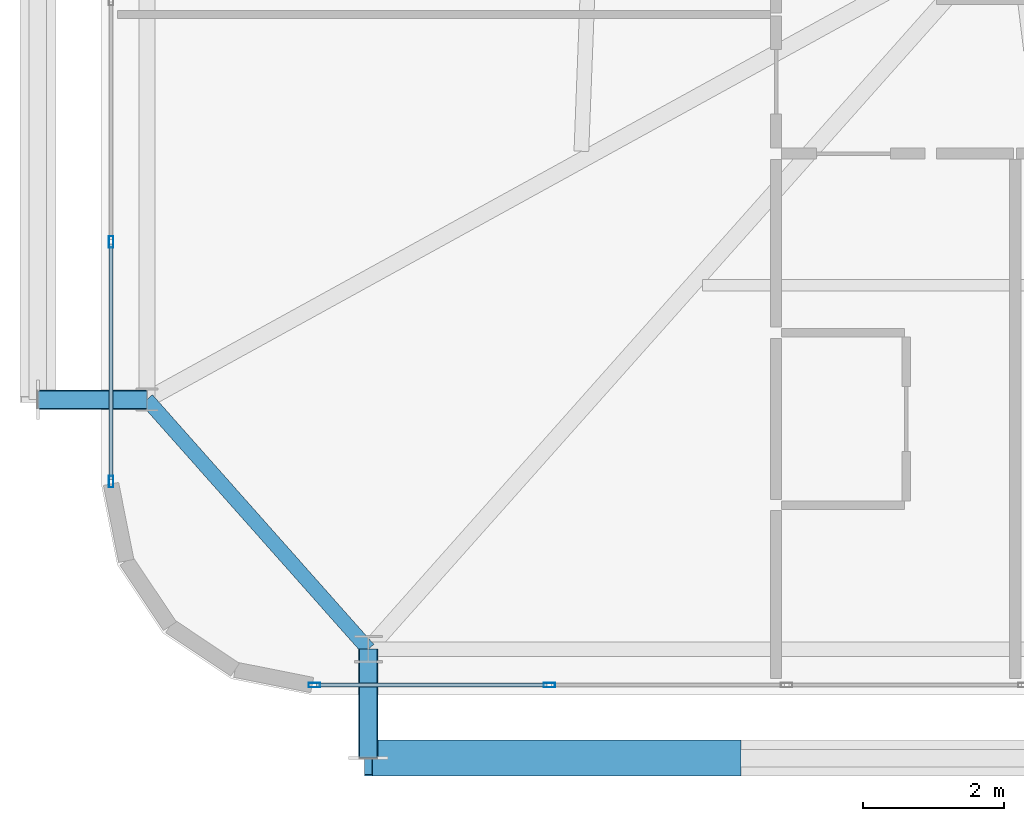
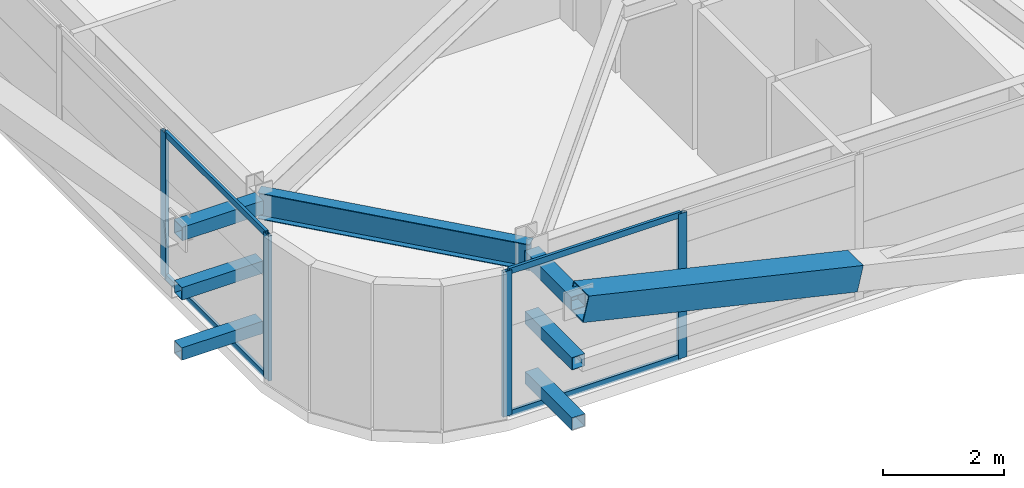
# One storey, part 5 of 59: 15 members, 1 beam, 2 elements without a shape of their own.
"""IFC4 building model written with IfcOpenShell, lengths in metres."""

from ifc_helpers import new_model, si_unit, direction, frame, origin, origin_2d, place, context, subcontext, project, spatial, hollow_rectangle, i_section, extrude, source, transform, mapped, material, layer, layer_set, material_profile, profile_set, type_object, element, aggregate, save


model = new_model("IFC4")

# Units and contexts
model_context = context("Model", 3, precision=1e-05, world=origin(), true_north=direction((0.0, 1.0)))
body_context = subcontext(model_context, "Body", "Model", "MODEL_VIEW")
ifc_project = project(units=[si_unit("LENGTHUNIT", "METRE"), si_unit("AREAUNIT", "SQUARE_METRE"), si_unit("VOLUMEUNIT", "CUBIC_METRE"), si_unit("PLANEANGLEUNIT", "RADIAN"), si_unit("MASSUNIT", "GRAM", prefix="KILO")], contexts=[model_context])

# Site, building, storey
site_placement = place(None, origin())
site = spatial("IfcSite", under=ifc_project, at=site_placement, CompositionType="ELEMENT")
building_placement = place(site_placement, origin())
building = spatial("IfcBuilding", under=site, at=building_placement, Name="Taldren Reach Tower", CompositionType="ELEMENT")
storey_placement = place(building_placement, frame((0.0, 0.0, 26.25)))
storey = spatial("IfcBuildingStorey", under=building, at=storey_placement, Name="L07", CompositionType="ELEMENT", Elevation=26.25)

# Beam
ifc_material_1 = material(Name="Steel Gr 350 (350PLUS)", Category="steel")
ifc_material_profile_1 = material_profile(ifc_material_1, i_section(OverallWidth=0.208984375, OverallDepth=0.528076171875, WebThickness=0.009521484375, FlangeThickness=0.01318359375, at=origin_2d()), Name="530UB82.0")
ifc_profile_set_1 = profile_set([ifc_material_profile_1], Name="Steel Gr 350 (350PLUS)")
beam_type = type_object("IfcBeamType", Name="SP-UB530B", PredefinedType="SPANDREL", material=ifc_profile_set_1)
shared_shape_1 = source(origin(), body_context, "Body", "SweptSolid", [
    extrude(i_section(OverallWidth=0.208984375, OverallDepth=0.528076171875, WebThickness=0.009521484375, FlangeThickness=0.01318359375, at=origin_2d()), origin(), (0.0, 0.0, 1.0), 4.74609375),
])
beam_placement = place(storey_placement, frame((5.64990234375, 5.699951171875, 2.666015625), z_axis=(0.663721843779, -0.747979487747, 0.0), x_axis=(0.747979487747, 0.663721843779, 0.0)))
element("IfcBeam", 1, at=beam_placement, inside=storey, type_object=beam_type, Name="Perimeter spandrel B1 W1-S1 L07", PredefinedType="SPANDREL", context=body_context, shape_type="MappedRepresentation", body=[
    mapped(shared_shape_1, transform((0.0, 0.0, 0.0), scale=1.0)),
])

# Members
ifc_material_2 = material(Name="Steel Gr 450 (C450L0)", Category="steel")
ifc_material_profile_2 = material_profile(ifc_material_2, hollow_rectangle(XDim=0.27490234375, YDim=0.27490234375, WallThickness=0.00927734375, at=origin_2d()), Name="275x275x9.3SHS")
ifc_profile_set_2 = profile_set([ifc_material_profile_2], Name="Steel Gr 450 (C450L0)")
member_type_1 = type_object("IfcMemberType", Name="MB-TIE273", PredefinedType="STRUT", material=ifc_profile_set_2)
shared_shape_2 = source(origin(), body_context, "Body", "SweptSolid", [
    extrude(hollow_rectangle(XDim=0.27490234375, YDim=0.27490234375, WallThickness=0.00927734375, at=origin_2d()), origin(), (0.0, 0.0, 1.0), 1.5498046875),
])
for number, where, z_axis, x_axis, name in (
    (2, (8.800048828125, 2.14990234375, 2.64990234375), (0.0, -1.0, 0.0), (1.0, 0.0, 0.0), "Exoskeleton diaphragm tie strut B1-S1 L07"),
    (3, (5.64990234375, 5.699951171875, 2.64990234375), (-1.0, 0.0, 0.0), (0.0, -1.0, 0.0), "Exoskeleton diaphragm tie strut B1-W1 L07"),
):
    element("IfcMember", number, at=place(storey_placement, frame(where, z_axis=z_axis, x_axis=x_axis)), inside=storey, type_object=member_type_1, Name=name, PredefinedType="STRUT", context=body_context, shape_type="MappedRepresentation", body=[
        mapped(shared_shape_2, transform((0.0, 0.0, 0.0), scale=1.0)),
    ])
ifc_material_profile_3 = material_profile(ifc_material_2, hollow_rectangle(XDim=0.510009765625, YDim=0.510009765625, WallThickness=0.02001953125, at=origin_2d()), Name="510x510x20.0SHS")
ifc_profile_set_3 = profile_set([ifc_material_profile_3], Name="Steel Gr 450 (C450L0)")
member_type_2 = type_object("IfcMemberType", Name="MB-EXO508", PredefinedType="BRACE", material=ifc_profile_set_3)
shared_shape_3 = source(origin(), body_context, "Body", "SweptSolid", [
    extrude(hollow_rectangle(XDim=0.510009765625, YDim=0.510009765625, WallThickness=0.02001953125, at=origin_2d()), origin(), (0.0, 0.0, 1.0), 5.37890625),
])
member_1_placement = place(storey_placement, frame((14.0400390625, 0.60009765625, 1.43505859375), z_axis=(-0.974161966843, 0.0, 0.225850531007), x_axis=(0.0, -1.0, 0.0)))
element("IfcMember", 4, at=member_1_placement, inside=storey, type_object=member_type_2, Name="Exoskeleton Diagrid Brace B1-S1 L07", PredefinedType="BRACE", context=body_context, shape_type="MappedRepresentation", body=[
    mapped(shared_shape_3, transform((0.0, 0.0, 0.0), scale=1.0)),
])
ifc_material_3 = material(Name="Steel Gr 350 (C350L0)", Category="steel")
ifc_material_profile_4 = material_profile(ifc_material_3, hollow_rectangle(XDim=0.25, YDim=0.25, WallThickness=0.010009765625, at=origin_2d()), Name="250x250x10.0SHS")
ifc_profile_set_4 = profile_set([ifc_material_profile_4], Name="Steel Gr 350 (C350L0)")
member_type_3 = type_object("IfcMemberType", Name="MB-POST250", PredefinedType="POST", material=ifc_profile_set_4)
shared_shape_4 = source(origin(), body_context, "Body", "SweptSolid", [
    extrude(hollow_rectangle(XDim=0.25, YDim=0.25, WallThickness=0.010009765625, at=origin_2d()), origin(), (0.0, 0.0, 1.0), 1.5498046875),
])
for number, where, z_axis, x_axis, name in (
    (5, (8.800048828125, 2.14990234375, 0.219970703125), (0.0, -1.0, 0.0), (1.0, 0.0, 0.0), "Exoskeleton base diaphragm tie strut B1-S1 L07"),
    (6, (5.64990234375, 5.699951171875, 0.219970703125), (-1.0, 0.0, 0.0), (0.0, -1.0, 0.0), "Exoskeleton base diaphragm tie strut B1-W1 L07"),
    (7, (8.800048828125, 2.14990234375, 1.43505859375), (0.0, -1.0, 0.0), (1.0, 0.0, 0.0), "Exoskeleton mid-tier diaphragm tie B1-S1 L07"),
    (8, (5.64990234375, 5.699951171875, 1.43505859375), (-1.0, 0.0, 0.0), (0.0, -1.0, 0.0), "Exoskeleton mid-tier diaphragm tie B1-W1 L07"),
):
    element("IfcMember", number, at=place(storey_placement, frame(where, z_axis=z_axis, x_axis=x_axis)), inside=storey, type_object=member_type_3, Name=name, PredefinedType="POST", context=body_context, shape_type="MappedRepresentation", body=[
        mapped(shared_shape_4, transform((0.0, 0.0, 0.0), scale=1.0)),
    ])

# Curtain wall, members
ifc_material_4 = material(Name="Aluminium and Low-E Glass Unitised System", Category="aluminium")
ifc_layer = layer(ifc_material_4, 0.159912109375)
ifc_layer_set = layer_set([ifc_layer], Name="Aluminium and Low-E Glass Unitised System")
curtain_wall_type = type_object("IfcCurtainWallType", Name="CW-SYS-2", PredefinedType="NOTDEFINED", material=ifc_layer_set)
curtain_wall_1_placement = place(storey_placement, origin())
curtain_wall_1 = element("IfcCurtainWall", 9, at=curtain_wall_1_placement, inside=storey, type_object=curtain_wall_type, Name="Unitised curtain wall CW-L07-S", PredefinedType="NOTDEFINED")
ifc_material_5 = material(Name="Anodised Aluminium 6063-T6", Category="aluminium")
ifc_material_profile_5 = material_profile(ifc_material_5, hollow_rectangle(XDim=0.06494140625, YDim=0.1650390625, WallThickness=0.00390625, at=origin_2d()), Name="ALU-165x65x4RHS")
ifc_profile_set_5 = profile_set([ifc_material_profile_5], Name="Anodised Aluminium 6063-T6")
member_type_4 = type_object("IfcMemberType", Name="CW-MUL-165", PredefinedType="MULLION", material=ifc_profile_set_5)
shared_shape_5 = source(origin(), body_context, "Body", "SweptSolid", [
    extrude(hollow_rectangle(XDim=0.06494140625, YDim=0.1650390625, WallThickness=0.00390625, at=origin_2d()), origin(), (0.0, 0.0, 1.0), 2.929931640625),
])
member_2_placement = place(storey_placement, frame((8.032470703125, 1.639892578125, 0.0), z_axis=(0.0, 0.0, 1.0), x_axis=(0.0, 1.0, 0.0)))
member_2 = element("IfcMember", 10, at=member_2_placement, type_object=member_type_4, Name="CW-2 mullion 1", PredefinedType="MULLION", context=body_context, shape_type="MappedRepresentation", body=[
    mapped(shared_shape_5, transform((0.0, 0.0, 0.0), scale=1.0)),
])
member_3_placement = place(storey_placement, frame((11.375, 1.639892578125, 0.0), z_axis=(0.0, 0.0, 1.0), x_axis=(0.0, 1.0, 0.0)))
member_3 = element("IfcMember", 11, at=member_3_placement, type_object=member_type_4, Name="CW-2 mullion 2", PredefinedType="MULLION", context=body_context, shape_type="MappedRepresentation", body=[
    mapped(shared_shape_5, transform((0.0, 0.0, 0.0), scale=1.0)),
])

curtain_wall_2_placement = place(storey_placement, origin())
curtain_wall_2 = element("IfcCurtainWall", 12, at=curtain_wall_2_placement, inside=storey, type_object=curtain_wall_type, Name="Unitised curtain wall CW-L07-W", PredefinedType="NOTDEFINED")
member_4_placement = place(storey_placement, frame((5.139892578125, 7.9443359375, 0.0), z_axis=(0.0, 0.0, 1.0), x_axis=(1.0, 0.0, 0.0)))
member_4 = element("IfcMember", 13, at=member_4_placement, type_object=member_type_4, Name="CW-2 mullion 9", PredefinedType="MULLION", context=body_context, shape_type="MappedRepresentation", body=[
    mapped(shared_shape_5, transform((0.0, 0.0, 0.0), scale=1.0)),
])
member_5_placement = place(storey_placement, frame((5.139892578125, 4.532470703125, 0.0), z_axis=(0.0, 0.0, 1.0), x_axis=(1.0, 0.0, 0.0)))
member_5 = element("IfcMember", 14, at=member_5_placement, type_object=member_type_4, Name="CW-2 mullion 10", PredefinedType="MULLION", context=body_context, shape_type="MappedRepresentation", body=[
    mapped(shared_shape_5, transform((0.0, 0.0, 0.0), scale=1.0)),
])

# Member
ifc_material_profile_6 = material_profile(ifc_material_5, hollow_rectangle(XDim=0.054931640625, YDim=0.1201171875, WallThickness=0.0029296875, at=origin_2d()), Name="ALU-120x55x3RHS")
ifc_profile_set_6 = profile_set([ifc_material_profile_6], Name="Anodised Aluminium 6063-T6")
member_type_5 = type_object("IfcMemberType", Name="CW-TRN-135", PredefinedType="USERDEFINED", material=ifc_profile_set_6)
shared_shape_6 = source(origin(), body_context, "Body", "SweptSolid", [
    extrude(hollow_rectangle(XDim=0.054931640625, YDim=0.1201171875, WallThickness=0.0029296875, at=origin_2d()), origin(), (0.0, 0.0, 1.0), 3.277587890625),
])
member_6_placement = place(storey_placement, frame((8.06494140625, 1.639892578125, 0.027587890625), z_axis=(1.0, 0.0, 0.0), x_axis=(0.0, 1.0, 0.0)))
member_6 = element("IfcMember", 15, at=member_6_placement, type_object=member_type_5, Name="CW-2 transom 1.1", ObjectType="TRANSOM", PredefinedType="USERDEFINED", context=body_context, shape_type="MappedRepresentation", body=[
    mapped(shared_shape_6, transform((0.0, 0.0, 0.0), scale=1.0)),
])

member_7_placement = place(storey_placement, frame((8.06494140625, 1.639892578125, 2.902587890625), z_axis=(1.0, 0.0, 0.0), x_axis=(0.0, 1.0, 0.0)))
member_7 = element("IfcMember", 16, at=member_7_placement, type_object=member_type_5, Name="CW-2 transom 1.2", ObjectType="TRANSOM", PredefinedType="USERDEFINED", context=body_context, shape_type="MappedRepresentation", body=[
    mapped(shared_shape_6, transform((0.0, 0.0, 0.0), scale=1.0)),
])

aggregate(curtain_wall_1, [member_2, member_3, member_6, member_7])

shared_shape_7 = source(origin(), body_context, "Body", "SweptSolid", [
    extrude(hollow_rectangle(XDim=0.054931640625, YDim=0.1201171875, WallThickness=0.0029296875, at=origin_2d()), origin(), (0.0, 0.0, 1.0), 3.346923828125),
])
member_8_placement = place(storey_placement, frame((5.139892578125, 7.911865234375, 0.027587890625), z_axis=(0.0, -1.0, 0.0), x_axis=(1.0, 0.0, 0.0)))
member_8 = element("IfcMember", 17, at=member_8_placement, type_object=member_type_5, Name="CW-2 transom 9.1", ObjectType="TRANSOM", PredefinedType="USERDEFINED", context=body_context, shape_type="MappedRepresentation", body=[
    mapped(shared_shape_7, transform((0.0, 0.0, 0.0), scale=1.0)),
])

member_9_placement = place(storey_placement, frame((5.139892578125, 7.911865234375, 2.902587890625), z_axis=(0.0, -1.0, 0.0), x_axis=(1.0, 0.0, 0.0)))
member_9 = element("IfcMember", 18, at=member_9_placement, type_object=member_type_5, Name="CW-2 transom 9.2", ObjectType="TRANSOM", PredefinedType="USERDEFINED", context=body_context, shape_type="MappedRepresentation", body=[
    mapped(shared_shape_7, transform((0.0, 0.0, 0.0), scale=1.0)),
])

aggregate(curtain_wall_2, [member_4, member_5, member_8, member_9])

save(model, "model.ifc")
